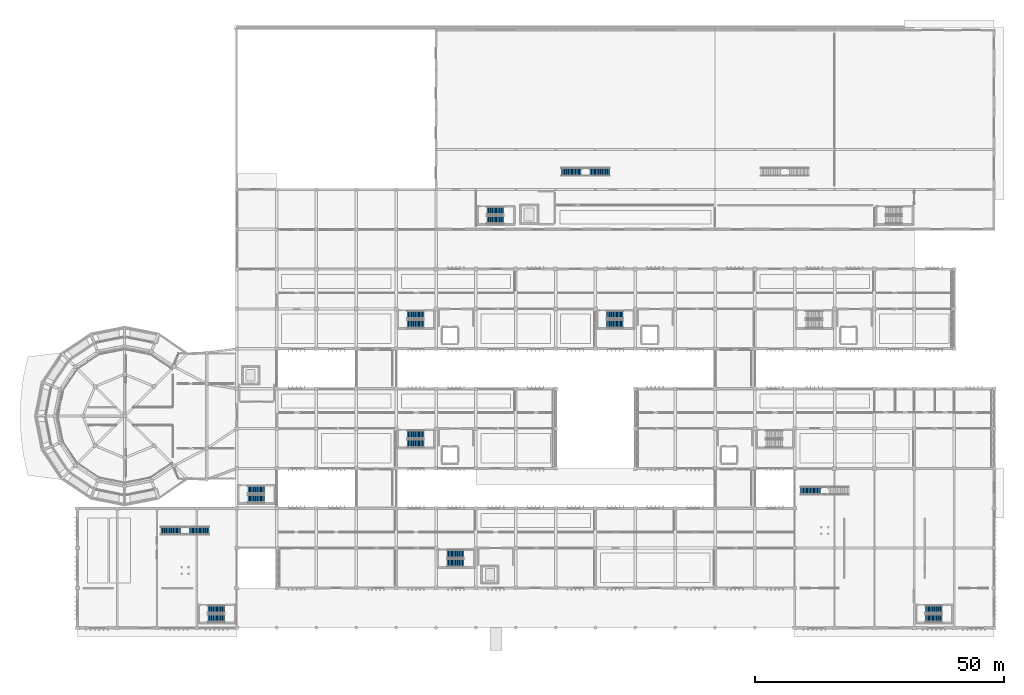
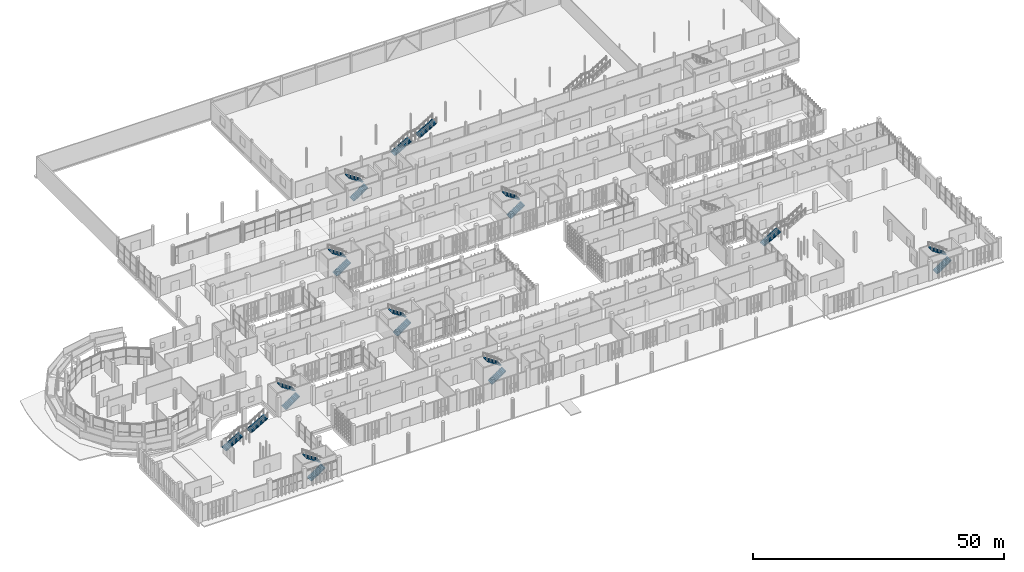
# One storey, part 99 of 117: 21 stair flights, 11 elements without a shape of their own.
"""IFC4 building model written with IfcOpenShell, lengths in metres."""

from ifc_helpers import new_model, si_unit, direction, frame, origin, place, context, subcontext, project, spatial, polyline, outline, extrude, material, type_object, element, aggregate, save


model = new_model("IFC4")

# Units and contexts
model_context = context("Model", 3, precision=1e-05, world=origin(), true_north=direction((0.0, 1.0)))
body_context = subcontext(model_context, "Body", "Model", "MODEL_VIEW")
ifc_project = project(units=[si_unit("LENGTHUNIT", "METRE"), si_unit("AREAUNIT", "SQUARE_METRE"), si_unit("VOLUMEUNIT", "CUBIC_METRE"), si_unit("PLANEANGLEUNIT", "RADIAN"), si_unit("MASSUNIT", "GRAM", prefix="KILO")], contexts=[model_context])

# Site, building, storey
site_placement = place(None, origin())
site = spatial("IfcSite", under=ifc_project, at=site_placement, CompositionType="ELEMENT")
building_placement = place(site_placement, origin())
building = spatial("IfcBuilding", under=site, at=building_placement, Name="Jelvoka-Kovrelna Polytechnic", CompositionType="ELEMENT")
storey_placement = place(building_placement, origin())
storey = spatial("IfcBuildingStorey", under=building, at=storey_placement, Name="L01", CompositionType="ELEMENT", Elevation=0.0)

# Stair, stair flights
ifc_material_1 = material(Name="Concrete C35/45", Category="concrete")
stair_type_1 = type_object("IfcStairType", Name="Stair_Straight_1650", PredefinedType="STRAIGHT_RUN_STAIR", material=ifc_material_1)
stair_1_placement = place(storey_placement, origin())
stair_1 = element("IfcStair", 1, at=stair_1_placement, inside=storey, type_object=stair_type_1, Name="L01 straight feature stair ST12", PredefinedType="STRAIGHT_RUN_STAIR")
ifc_material_2 = material(Name="Concrete C35/45", Category="concrete")
stair_flight_type_1 = type_object("IfcStairFlightType", Name="Flight_RC_160", PredefinedType="STRAIGHT", material=ifc_material_2)
stair_flight_1_placement = place(storey_placement, frame((113.199951171875, 91.5, 0.0), z_axis=(0.0, 0.0, 1.0), x_axis=(1.0, 0.0, 0.0)))
stair_flight_1 = element("IfcStairFlight", 2, at=stair_flight_1_placement, type_object=stair_flight_type_1, Name="ST12 flight 1", NumberOfRisers=15, NumberOfTreads=14, PredefinedType="STRAIGHT", RiserHeight=0.16, TreadLength=0.28, context=body_context, shape_type="SweptSolid", body=[
    extrude(outline(polyline([(0.0, 0.0), (0.0, 0.159912109375), (0.280029296875, 0.159912109375), (0.280029296875, 0.320068359375), (0.56005859375, 0.320068359375), (0.56005859375, 0.47998046875), (0.840087890625, 0.47998046875), (0.840087890625, 0.639892578125), (1.1201171875, 0.639892578125), (1.1201171875, 0.800048828125), (1.39990234375, 0.800048828125), (1.39990234375, 0.9599609375), (1.679931640625, 0.9599609375), (1.679931640625, 1.1201171875), (1.9599609375, 1.1201171875), (1.9599609375, 1.280029296875), (2.239990234375, 1.280029296875), (2.239990234375, 1.43994140625), (2.52001953125, 1.43994140625), (2.52001953125, 1.60009765625), (2.800048828125, 1.60009765625), (2.800048828125, 1.760009765625), (3.080078125, 1.760009765625), (3.080078125, 1.919921875), (3.360107421875, 1.919921875), (3.360107421875, 2.080078125), (3.639892578125, 2.080078125), (3.639892578125, 2.239990234375), (3.919921875, 2.239990234375), (3.919921875, 2.39990234375), (3.919921875, 2.03271484375), (0.362548828125, 0.0), (0.0, 0.0)])), frame((0.0, 0.824951171875, 0.0), z_axis=(0.0, -1.0, 0.0), x_axis=(1.0, 0.0, 0.0)), (0.0, 0.0, 1.0), 1.64990234375),
])
stair_flight_2_placement = place(storey_placement, frame((118.919921875, 91.5, 2.39990234375), z_axis=(0.0, 0.0, 1.0), x_axis=(1.0, 0.0, 0.0)))
stair_flight_2 = element("IfcStairFlight", 3, at=stair_flight_2_placement, type_object=stair_flight_type_1, Name="ST12 flight 2", NumberOfRisers=15, NumberOfTreads=14, PredefinedType="STRAIGHT", RiserHeight=0.16, TreadLength=0.28, context=body_context, shape_type="SweptSolid", body=[
    extrude(outline(polyline([(0.0, 0.0), (0.0, 0.159912109375), (0.280029296875, 0.159912109375), (0.280029296875, 0.320068359375), (0.56005859375, 0.320068359375), (0.56005859375, 0.47998046875), (0.840087890625, 0.47998046875), (0.840087890625, 0.639892578125), (1.1201171875, 0.639892578125), (1.1201171875, 0.800048828125), (1.39990234375, 0.800048828125), (1.39990234375, 0.9599609375), (1.679931640625, 0.9599609375), (1.679931640625, 1.1201171875), (1.9599609375, 1.1201171875), (1.9599609375, 1.280029296875), (2.239990234375, 1.280029296875), (2.239990234375, 1.43994140625), (2.52001953125, 1.43994140625), (2.52001953125, 1.60009765625), (2.800048828125, 1.60009765625), (2.800048828125, 1.760009765625), (3.080078125, 1.760009765625), (3.080078125, 1.919921875), (3.360107421875, 1.919921875), (3.360107421875, 2.080078125), (3.639892578125, 2.080078125), (3.639892578125, 2.239990234375), (3.919921875, 2.239990234375), (3.919921875, 2.39990234375), (3.919921875, 2.03271484375), (0.362548828125, 0.0), (0.0, 0.0)])), frame((0.0, 0.824951171875, 0.0), z_axis=(0.0, -1.0, 0.0), x_axis=(1.0, 0.0, 0.0)), (0.0, 0.0, 1.0), 1.64990234375),
])
aggregate(stair_1, [stair_flight_1, stair_flight_2])

stair_2_placement = place(storey_placement, origin())
stair_2 = element("IfcStair", 4, at=stair_2_placement, inside=storey, type_object=stair_type_1, Name="L01 straight feature stair ST14", PredefinedType="STRAIGHT_RUN_STAIR")
stair_flight_3_placement = place(storey_placement, frame((32.800048828125, 19.5, 0.0), z_axis=(0.0, 0.0, 1.0), x_axis=(1.0, 0.0, 0.0)))
stair_flight_3 = element("IfcStairFlight", 5, at=stair_flight_3_placement, type_object=stair_flight_type_1, Name="ST14 flight 1", NumberOfRisers=15, NumberOfTreads=14, PredefinedType="STRAIGHT", RiserHeight=0.16, TreadLength=0.28, context=body_context, shape_type="SweptSolid", body=[
    extrude(outline(polyline([(0.0, 0.0), (0.0, 0.159912109375), (0.280029296875, 0.159912109375), (0.280029296875, 0.320068359375), (0.56005859375, 0.320068359375), (0.56005859375, 0.47998046875), (0.840087890625, 0.47998046875), (0.840087890625, 0.639892578125), (1.1201171875, 0.639892578125), (1.1201171875, 0.800048828125), (1.39990234375, 0.800048828125), (1.39990234375, 0.9599609375), (1.679931640625, 0.9599609375), (1.679931640625, 1.1201171875), (1.9599609375, 1.1201171875), (1.9599609375, 1.280029296875), (2.239990234375, 1.280029296875), (2.239990234375, 1.43994140625), (2.52001953125, 1.43994140625), (2.52001953125, 1.60009765625), (2.800048828125, 1.60009765625), (2.800048828125, 1.760009765625), (3.080078125, 1.760009765625), (3.080078125, 1.919921875), (3.360107421875, 1.919921875), (3.360107421875, 2.080078125), (3.639892578125, 2.080078125), (3.639892578125, 2.239990234375), (3.919921875, 2.239990234375), (3.919921875, 2.39990234375), (3.919921875, 2.03271484375), (0.362548828125, 0.0), (0.0, 0.0)])), frame((0.0, 0.824951171875, 0.0), z_axis=(0.0, -1.0, 0.0), x_axis=(1.0, 0.0, 0.0)), (0.0, 0.0, 1.0), 1.64990234375),
])
stair_flight_4_placement = place(storey_placement, frame((38.52001953125, 19.5, 2.39990234375), z_axis=(0.0, 0.0, 1.0), x_axis=(1.0, 0.0, 0.0)))
stair_flight_4 = element("IfcStairFlight", 6, at=stair_flight_4_placement, type_object=stair_flight_type_1, Name="ST14 flight 2", NumberOfRisers=15, NumberOfTreads=14, PredefinedType="STRAIGHT", RiserHeight=0.16, TreadLength=0.28, context=body_context, shape_type="SweptSolid", body=[
    extrude(outline(polyline([(0.0, 0.0), (0.0, 0.159912109375), (0.280029296875, 0.159912109375), (0.280029296875, 0.320068359375), (0.56005859375, 0.320068359375), (0.56005859375, 0.47998046875), (0.840087890625, 0.47998046875), (0.840087890625, 0.639892578125), (1.1201171875, 0.639892578125), (1.1201171875, 0.800048828125), (1.39990234375, 0.800048828125), (1.39990234375, 0.9599609375), (1.679931640625, 0.9599609375), (1.679931640625, 1.1201171875), (1.9599609375, 1.1201171875), (1.9599609375, 1.280029296875), (2.239990234375, 1.280029296875), (2.239990234375, 1.43994140625), (2.52001953125, 1.43994140625), (2.52001953125, 1.60009765625), (2.800048828125, 1.60009765625), (2.800048828125, 1.760009765625), (3.080078125, 1.760009765625), (3.080078125, 1.919921875), (3.360107421875, 1.919921875), (3.360107421875, 2.080078125), (3.639892578125, 2.080078125), (3.639892578125, 2.239990234375), (3.919921875, 2.239990234375), (3.919921875, 2.39990234375), (3.919921875, 2.03271484375), (0.362548828125, 0.0), (0.0, 0.0)])), frame((0.0, 0.824951171875, 0.0), z_axis=(0.0, -1.0, 0.0), x_axis=(1.0, 0.0, 0.0)), (0.0, 0.0, 1.0), 1.64990234375),
])
aggregate(stair_2, [stair_flight_3, stair_flight_4])

# Stair, stair flight
stair_3_placement = place(storey_placement, origin())
stair_3 = element("IfcStair", 7, at=stair_3_placement, inside=storey, type_object=stair_type_1, Name="L01 straight feature stair ST16", PredefinedType="STRAIGHT_RUN_STAIR")
stair_flight_5_placement = place(storey_placement, frame((161.199951171875, 27.5, 0.0), z_axis=(0.0, 0.0, 1.0), x_axis=(1.0, 0.0, 0.0)))
stair_flight_5 = element("IfcStairFlight", 8, at=stair_flight_5_placement, type_object=stair_flight_type_1, Name="ST16 flight 1", NumberOfRisers=15, NumberOfTreads=14, PredefinedType="STRAIGHT", RiserHeight=0.16, TreadLength=0.28, context=body_context, shape_type="SweptSolid", body=[
    extrude(outline(polyline([(0.0, 0.0), (0.0, 0.159912109375), (0.280029296875, 0.159912109375), (0.280029296875, 0.320068359375), (0.56005859375, 0.320068359375), (0.56005859375, 0.47998046875), (0.840087890625, 0.47998046875), (0.840087890625, 0.639892578125), (1.1201171875, 0.639892578125), (1.1201171875, 0.800048828125), (1.39990234375, 0.800048828125), (1.39990234375, 0.9599609375), (1.679931640625, 0.9599609375), (1.679931640625, 1.1201171875), (1.9599609375, 1.1201171875), (1.9599609375, 1.280029296875), (2.239990234375, 1.280029296875), (2.239990234375, 1.43994140625), (2.52001953125, 1.43994140625), (2.52001953125, 1.60009765625), (2.800048828125, 1.60009765625), (2.800048828125, 1.760009765625), (3.080078125, 1.760009765625), (3.080078125, 1.919921875), (3.360107421875, 1.919921875), (3.360107421875, 2.080078125), (3.639892578125, 2.080078125), (3.639892578125, 2.239990234375), (3.919921875, 2.239990234375), (3.919921875, 2.39990234375), (3.919921875, 2.03271484375), (0.362548828125, 0.0), (0.0, 0.0)])), frame((0.0, 0.824951171875, 0.0), z_axis=(0.0, -1.0, 0.0), x_axis=(1.0, 0.0, 0.0)), (0.0, 0.0, 1.0), 1.64990234375),
])
aggregate(stair_3, [stair_flight_5])

# Stair, stair flights
ifc_material_3 = material(Name="Concrete C35/45", Category="concrete")
stair_type_2 = type_object("IfcStairType", Name="Stair_Dogleg_1620", PredefinedType="TWO_STRAIGHT_RUN_STAIR", material=ifc_material_3)
stair_4_placement = place(storey_placement, origin())
stair_4 = element("IfcStair", 9, at=stair_4_placement, inside=storey, type_object=stair_type_2, Name="L01 ST01", PredefinedType="TWO_STRAIGHT_RUN_STAIR")
ifc_material_4 = material(Name="Concrete C35/45", Category="concrete")
stair_flight_type_2 = type_object("IfcStairFlightType", Name="Flight_RC_185", PredefinedType="STRAIGHT", material=ifc_material_4)
stair_flight_6_placement = place(storey_placement, frame((98.25, 81.909912109375, 0.0), z_axis=(0.0, 0.0, 1.0), x_axis=(1.0, 0.0, 0.0)))
stair_flight_6 = element("IfcStairFlight", 10, at=stair_flight_6_placement, type_object=stair_flight_type_2, Name="ST01 flight 1", NumberOfRisers=13, NumberOfTreads=12, PredefinedType="STRAIGHT", RiserHeight=0.184615385, TreadLength=0.275, context=body_context, shape_type="SweptSolid", body=[
    extrude(outline(polyline([(0.0, 0.0), (0.0, 0.1845703125), (0.27490234375, 0.1845703125), (0.27490234375, 0.369140625), (0.550048828125, 0.369140625), (0.550048828125, 0.553955078125), (0.824951171875, 0.553955078125), (0.824951171875, 0.738525390625), (1.10009765625, 0.738525390625), (1.10009765625, 0.923095703125), (1.375, 0.923095703125), (1.375, 1.107666015625), (1.64990234375, 1.107666015625), (1.64990234375, 1.292236328125), (1.925048828125, 1.292236328125), (1.925048828125, 1.476806640625), (2.199951171875, 1.476806640625), (2.199951171875, 1.66162109375), (2.47509765625, 1.66162109375), (2.47509765625, 1.84619140625), (2.75, 1.84619140625), (2.75, 2.03076171875), (3.02490234375, 2.03076171875), (3.02490234375, 2.21533203125), (3.300048828125, 2.21533203125), (3.300048828125, 2.39990234375), (3.300048828125, 1.998779296875), (0.32275390625, 0.0), (0.0, 0.0)])), frame((0.0, 0.81005859375, 0.0), z_axis=(0.0, -1.0, 0.0), x_axis=(1.0, 0.0, 0.0)), (0.0, 0.0, 1.0), 1.6201171875),
])
stair_flight_7_placement = place(storey_placement, frame((101.550048828125, 83.72998046875, 2.39990234375), z_axis=(0.0, 0.0, 1.0), x_axis=(-1.0, 0.0, 0.0)))
stair_flight_7 = element("IfcStairFlight", 11, at=stair_flight_7_placement, type_object=stair_flight_type_2, Name="ST01 flight 2", NumberOfRisers=13, NumberOfTreads=12, PredefinedType="STRAIGHT", RiserHeight=0.184615385, TreadLength=0.275, context=body_context, shape_type="SweptSolid", body=[
    extrude(outline(polyline([(0.0, 0.0), (0.0, 0.1845703125), (0.27490234375, 0.1845703125), (0.27490234375, 0.369140625), (0.550048828125, 0.369140625), (0.550048828125, 0.553955078125), (0.824951171875, 0.553955078125), (0.824951171875, 0.738525390625), (1.10009765625, 0.738525390625), (1.10009765625, 0.923095703125), (1.375, 0.923095703125), (1.375, 1.107666015625), (1.64990234375, 1.107666015625), (1.64990234375, 1.292236328125), (1.925048828125, 1.292236328125), (1.925048828125, 1.476806640625), (2.199951171875, 1.476806640625), (2.199951171875, 1.66162109375), (2.47509765625, 1.66162109375), (2.47509765625, 1.84619140625), (2.75, 1.84619140625), (2.75, 2.03076171875), (3.02490234375, 2.03076171875), (3.02490234375, 2.21533203125), (3.300048828125, 2.21533203125), (3.300048828125, 2.39990234375), (3.300048828125, 1.998779296875), (0.32275390625, 0.0), (0.0, 0.0)])), frame((0.0, 0.81005859375, 0.0), z_axis=(0.0, -1.0, 0.0), x_axis=(1.0, 0.0, 0.0)), (0.0, 0.0, 1.0), 1.6201171875),
])
aggregate(stair_4, [stair_flight_6, stair_flight_7])

stair_5_placement = place(storey_placement, origin())
stair_5 = element("IfcStair", 12, at=stair_5_placement, inside=storey, type_object=stair_type_2, Name="L01 ST03", PredefinedType="TWO_STRAIGHT_RUN_STAIR")
stair_flight_8_placement = place(storey_placement, frame((50.25, 25.909912109375, 0.0), z_axis=(0.0, 0.0, 1.0), x_axis=(1.0, 0.0, 0.0)))
stair_flight_8 = element("IfcStairFlight", 13, at=stair_flight_8_placement, type_object=stair_flight_type_2, Name="ST03 flight 1", NumberOfRisers=13, NumberOfTreads=12, PredefinedType="STRAIGHT", RiserHeight=0.184615385, TreadLength=0.275, context=body_context, shape_type="SweptSolid", body=[
    extrude(outline(polyline([(0.0, 0.0), (0.0, 0.1845703125), (0.27490234375, 0.1845703125), (0.27490234375, 0.369140625), (0.550048828125, 0.369140625), (0.550048828125, 0.553955078125), (0.824951171875, 0.553955078125), (0.824951171875, 0.738525390625), (1.10009765625, 0.738525390625), (1.10009765625, 0.923095703125), (1.375, 0.923095703125), (1.375, 1.107666015625), (1.64990234375, 1.107666015625), (1.64990234375, 1.292236328125), (1.925048828125, 1.292236328125), (1.925048828125, 1.476806640625), (2.199951171875, 1.476806640625), (2.199951171875, 1.66162109375), (2.47509765625, 1.66162109375), (2.47509765625, 1.84619140625), (2.75, 1.84619140625), (2.75, 2.03076171875), (3.02490234375, 2.03076171875), (3.02490234375, 2.21533203125), (3.300048828125, 2.21533203125), (3.300048828125, 2.39990234375), (3.300048828125, 1.998779296875), (0.32275390625, 0.0), (0.0, 0.0)])), frame((0.0, 0.81005859375, 0.0), z_axis=(0.0, -1.0, 0.0), x_axis=(1.0, 0.0, 0.0)), (0.0, 0.0, 1.0), 1.6201171875),
])
stair_flight_9_placement = place(storey_placement, frame((53.550048828125, 27.72998046875, 2.39990234375), z_axis=(0.0, 0.0, 1.0), x_axis=(-1.0, 0.0, 0.0)))
stair_flight_9 = element("IfcStairFlight", 14, at=stair_flight_9_placement, type_object=stair_flight_type_2, Name="ST03 flight 2", NumberOfRisers=13, NumberOfTreads=12, PredefinedType="STRAIGHT", RiserHeight=0.184615385, TreadLength=0.275, context=body_context, shape_type="SweptSolid", body=[
    extrude(outline(polyline([(0.0, 0.0), (0.0, 0.1845703125), (0.27490234375, 0.1845703125), (0.27490234375, 0.369140625), (0.550048828125, 0.369140625), (0.550048828125, 0.553955078125), (0.824951171875, 0.553955078125), (0.824951171875, 0.738525390625), (1.10009765625, 0.738525390625), (1.10009765625, 0.923095703125), (1.375, 0.923095703125), (1.375, 1.107666015625), (1.64990234375, 1.107666015625), (1.64990234375, 1.292236328125), (1.925048828125, 1.292236328125), (1.925048828125, 1.476806640625), (2.199951171875, 1.476806640625), (2.199951171875, 1.66162109375), (2.47509765625, 1.66162109375), (2.47509765625, 1.84619140625), (2.75, 1.84619140625), (2.75, 2.03076171875), (3.02490234375, 2.03076171875), (3.02490234375, 2.21533203125), (3.300048828125, 2.21533203125), (3.300048828125, 2.39990234375), (3.300048828125, 1.998779296875), (0.32275390625, 0.0), (0.0, 0.0)])), frame((0.0, 0.81005859375, 0.0), z_axis=(0.0, -1.0, 0.0), x_axis=(1.0, 0.0, 0.0)), (0.0, 0.0, 1.0), 1.6201171875),
])
aggregate(stair_5, [stair_flight_8, stair_flight_9])

stair_6_placement = place(storey_placement, origin())
stair_6 = element("IfcStair", 15, at=stair_6_placement, inside=storey, type_object=stair_type_2, Name="L01 ST04", PredefinedType="TWO_STRAIGHT_RUN_STAIR")
stair_flight_10_placement = place(storey_placement, frame((42.25, 1.909912109375, 0.0), z_axis=(0.0, 0.0, 1.0), x_axis=(1.0, 0.0, 0.0)))
stair_flight_10 = element("IfcStairFlight", 16, at=stair_flight_10_placement, type_object=stair_flight_type_2, Name="ST04 flight 1", NumberOfRisers=13, NumberOfTreads=12, PredefinedType="STRAIGHT", RiserHeight=0.184615385, TreadLength=0.275, context=body_context, shape_type="SweptSolid", body=[
    extrude(outline(polyline([(0.0, 0.0), (0.0, 0.1845703125), (0.27490234375, 0.1845703125), (0.27490234375, 0.369140625), (0.550048828125, 0.369140625), (0.550048828125, 0.553955078125), (0.824951171875, 0.553955078125), (0.824951171875, 0.738525390625), (1.10009765625, 0.738525390625), (1.10009765625, 0.923095703125), (1.375, 0.923095703125), (1.375, 1.107666015625), (1.64990234375, 1.107666015625), (1.64990234375, 1.292236328125), (1.925048828125, 1.292236328125), (1.925048828125, 1.476806640625), (2.199951171875, 1.476806640625), (2.199951171875, 1.66162109375), (2.47509765625, 1.66162109375), (2.47509765625, 1.84619140625), (2.75, 1.84619140625), (2.75, 2.03076171875), (3.02490234375, 2.03076171875), (3.02490234375, 2.21533203125), (3.300048828125, 2.21533203125), (3.300048828125, 2.39990234375), (3.300048828125, 1.998779296875), (0.32275390625, 0.0), (0.0, 0.0)])), frame((0.0, 0.81005859375, 0.0), z_axis=(0.0, -1.0, 0.0), x_axis=(1.0, 0.0, 0.0)), (0.0, 0.0, 1.0), 1.6201171875),
])
stair_flight_11_placement = place(storey_placement, frame((45.550048828125, 3.72998046875, 2.39990234375), z_axis=(0.0, 0.0, 1.0), x_axis=(-1.0, 0.0, 0.0)))
stair_flight_11 = element("IfcStairFlight", 17, at=stair_flight_11_placement, type_object=stair_flight_type_2, Name="ST04 flight 2", NumberOfRisers=13, NumberOfTreads=12, PredefinedType="STRAIGHT", RiserHeight=0.184615385, TreadLength=0.275, context=body_context, shape_type="SweptSolid", body=[
    extrude(outline(polyline([(0.0, 0.0), (0.0, 0.1845703125), (0.27490234375, 0.1845703125), (0.27490234375, 0.369140625), (0.550048828125, 0.369140625), (0.550048828125, 0.553955078125), (0.824951171875, 0.553955078125), (0.824951171875, 0.738525390625), (1.10009765625, 0.738525390625), (1.10009765625, 0.923095703125), (1.375, 0.923095703125), (1.375, 1.107666015625), (1.64990234375, 1.107666015625), (1.64990234375, 1.292236328125), (1.925048828125, 1.292236328125), (1.925048828125, 1.476806640625), (2.199951171875, 1.476806640625), (2.199951171875, 1.66162109375), (2.47509765625, 1.66162109375), (2.47509765625, 1.84619140625), (2.75, 1.84619140625), (2.75, 2.03076171875), (3.02490234375, 2.03076171875), (3.02490234375, 2.21533203125), (3.300048828125, 2.21533203125), (3.300048828125, 2.39990234375), (3.300048828125, 1.998779296875), (0.32275390625, 0.0), (0.0, 0.0)])), frame((0.0, 0.81005859375, 0.0), z_axis=(0.0, -1.0, 0.0), x_axis=(1.0, 0.0, 0.0)), (0.0, 0.0, 1.0), 1.6201171875),
])
aggregate(stair_6, [stair_flight_10, stair_flight_11])

stair_7_placement = place(storey_placement, origin())
stair_7 = element("IfcStair", 18, at=stair_7_placement, inside=storey, type_object=stair_type_2, Name="L01 ST05", PredefinedType="TWO_STRAIGHT_RUN_STAIR")
stair_flight_12_placement = place(storey_placement, frame((186.25, 1.909912109375, 0.0), z_axis=(0.0, 0.0, 1.0), x_axis=(1.0, 0.0, 0.0)))
stair_flight_12 = element("IfcStairFlight", 19, at=stair_flight_12_placement, type_object=stair_flight_type_2, Name="ST05 flight 1", NumberOfRisers=13, NumberOfTreads=12, PredefinedType="STRAIGHT", RiserHeight=0.184615385, TreadLength=0.275, context=body_context, shape_type="SweptSolid", body=[
    extrude(outline(polyline([(0.0, 0.0), (0.0, 0.1845703125), (0.27490234375, 0.1845703125), (0.27490234375, 0.369140625), (0.550048828125, 0.369140625), (0.550048828125, 0.553955078125), (0.824951171875, 0.553955078125), (0.824951171875, 0.738525390625), (1.10009765625, 0.738525390625), (1.10009765625, 0.923095703125), (1.375, 0.923095703125), (1.375, 1.107666015625), (1.64990234375, 1.107666015625), (1.64990234375, 1.292236328125), (1.925048828125, 1.292236328125), (1.925048828125, 1.476806640625), (2.199951171875, 1.476806640625), (2.199951171875, 1.66162109375), (2.47509765625, 1.66162109375), (2.47509765625, 1.84619140625), (2.75, 1.84619140625), (2.75, 2.03076171875), (3.02490234375, 2.03076171875), (3.02490234375, 2.21533203125), (3.300048828125, 2.21533203125), (3.300048828125, 2.39990234375), (3.300048828125, 1.998779296875), (0.32275390625, 0.0), (0.0, 0.0)])), frame((0.0, 0.81005859375, 0.0), z_axis=(0.0, -1.0, 0.0), x_axis=(1.0, 0.0, 0.0)), (0.0, 0.0, 1.0), 1.6201171875),
])
stair_flight_13_placement = place(storey_placement, frame((189.550048828125, 3.72998046875, 2.39990234375), z_axis=(0.0, 0.0, 1.0), x_axis=(-1.0, 0.0, 0.0)))
stair_flight_13 = element("IfcStairFlight", 20, at=stair_flight_13_placement, type_object=stair_flight_type_2, Name="ST05 flight 2", NumberOfRisers=13, NumberOfTreads=12, PredefinedType="STRAIGHT", RiserHeight=0.184615385, TreadLength=0.275, context=body_context, shape_type="SweptSolid", body=[
    extrude(outline(polyline([(0.0, 0.0), (0.0, 0.1845703125), (0.27490234375, 0.1845703125), (0.27490234375, 0.369140625), (0.550048828125, 0.369140625), (0.550048828125, 0.553955078125), (0.824951171875, 0.553955078125), (0.824951171875, 0.738525390625), (1.10009765625, 0.738525390625), (1.10009765625, 0.923095703125), (1.375, 0.923095703125), (1.375, 1.107666015625), (1.64990234375, 1.107666015625), (1.64990234375, 1.292236328125), (1.925048828125, 1.292236328125), (1.925048828125, 1.476806640625), (2.199951171875, 1.476806640625), (2.199951171875, 1.66162109375), (2.47509765625, 1.66162109375), (2.47509765625, 1.84619140625), (2.75, 1.84619140625), (2.75, 2.03076171875), (3.02490234375, 2.03076171875), (3.02490234375, 2.21533203125), (3.300048828125, 2.21533203125), (3.300048828125, 2.39990234375), (3.300048828125, 1.998779296875), (0.32275390625, 0.0), (0.0, 0.0)])), frame((0.0, 0.81005859375, 0.0), z_axis=(0.0, -1.0, 0.0), x_axis=(1.0, 0.0, 0.0)), (0.0, 0.0, 1.0), 1.6201171875),
])
aggregate(stair_7, [stair_flight_12, stair_flight_13])

stair_8_placement = place(storey_placement, origin())
stair_8 = element("IfcStair", 21, at=stair_8_placement, inside=storey, type_object=stair_type_2, Name="L01 ST06", PredefinedType="TWO_STRAIGHT_RUN_STAIR")
stair_flight_14_placement = place(storey_placement, frame((90.25, 13.010009765625, 0.0), z_axis=(0.0, 0.0, 1.0), x_axis=(1.0, 0.0, 0.0)))
stair_flight_14 = element("IfcStairFlight", 22, at=stair_flight_14_placement, type_object=stair_flight_type_2, Name="ST06 flight 1", NumberOfRisers=13, NumberOfTreads=12, PredefinedType="STRAIGHT", RiserHeight=0.184615385, TreadLength=0.275, context=body_context, shape_type="SweptSolid", body=[
    extrude(outline(polyline([(0.0, 0.0), (0.0, 0.1845703125), (0.27490234375, 0.1845703125), (0.27490234375, 0.369140625), (0.550048828125, 0.369140625), (0.550048828125, 0.553955078125), (0.824951171875, 0.553955078125), (0.824951171875, 0.738525390625), (1.10009765625, 0.738525390625), (1.10009765625, 0.923095703125), (1.375, 0.923095703125), (1.375, 1.107666015625), (1.64990234375, 1.107666015625), (1.64990234375, 1.292236328125), (1.925048828125, 1.292236328125), (1.925048828125, 1.476806640625), (2.199951171875, 1.476806640625), (2.199951171875, 1.66162109375), (2.47509765625, 1.66162109375), (2.47509765625, 1.84619140625), (2.75, 1.84619140625), (2.75, 2.03076171875), (3.02490234375, 2.03076171875), (3.02490234375, 2.21533203125), (3.300048828125, 2.21533203125), (3.300048828125, 2.39990234375), (3.300048828125, 1.998779296875), (0.32275390625, 0.0), (0.0, 0.0)])), frame((0.0, 0.81005859375, 0.0), z_axis=(0.0, -1.0, 0.0), x_axis=(1.0, 0.0, 0.0)), (0.0, 0.0, 1.0), 1.6201171875),
])
stair_flight_15_placement = place(storey_placement, frame((93.550048828125, 14.830078125, 2.39990234375), z_axis=(0.0, 0.0, 1.0), x_axis=(-1.0, 0.0, 0.0)))
stair_flight_15 = element("IfcStairFlight", 23, at=stair_flight_15_placement, type_object=stair_flight_type_2, Name="ST06 flight 2", NumberOfRisers=13, NumberOfTreads=12, PredefinedType="STRAIGHT", RiserHeight=0.184615385, TreadLength=0.275, context=body_context, shape_type="SweptSolid", body=[
    extrude(outline(polyline([(0.0, 0.0), (0.0, 0.1845703125), (0.27490234375, 0.1845703125), (0.27490234375, 0.369140625), (0.550048828125, 0.369140625), (0.550048828125, 0.553955078125), (0.824951171875, 0.553955078125), (0.824951171875, 0.738525390625), (1.10009765625, 0.738525390625), (1.10009765625, 0.923095703125), (1.375, 0.923095703125), (1.375, 1.107666015625), (1.64990234375, 1.107666015625), (1.64990234375, 1.292236328125), (1.925048828125, 1.292236328125), (1.925048828125, 1.476806640625), (2.199951171875, 1.476806640625), (2.199951171875, 1.66162109375), (2.47509765625, 1.66162109375), (2.47509765625, 1.84619140625), (2.75, 1.84619140625), (2.75, 2.03076171875), (3.02490234375, 2.03076171875), (3.02490234375, 2.21533203125), (3.300048828125, 2.21533203125), (3.300048828125, 2.39990234375), (3.300048828125, 1.998779296875), (0.32275390625, 0.0), (0.0, 0.0)])), frame((0.0, 0.81005859375, 0.0), z_axis=(0.0, -1.0, 0.0), x_axis=(1.0, 0.0, 0.0)), (0.0, 0.0, 1.0), 1.6201171875),
])
aggregate(stair_8, [stair_flight_14, stair_flight_15])

stair_9_placement = place(storey_placement, origin())
stair_9 = element("IfcStair", 24, at=stair_9_placement, inside=storey, type_object=stair_type_2, Name="L01 ST07", PredefinedType="TWO_STRAIGHT_RUN_STAIR")
stair_flight_16_placement = place(storey_placement, frame((82.25, 37.010009765625, 0.0), z_axis=(0.0, 0.0, 1.0), x_axis=(1.0, 0.0, 0.0)))
stair_flight_16 = element("IfcStairFlight", 25, at=stair_flight_16_placement, type_object=stair_flight_type_2, Name="ST07 flight 1", NumberOfRisers=13, NumberOfTreads=12, PredefinedType="STRAIGHT", RiserHeight=0.184615385, TreadLength=0.275, context=body_context, shape_type="SweptSolid", body=[
    extrude(outline(polyline([(0.0, 0.0), (0.0, 0.1845703125), (0.27490234375, 0.1845703125), (0.27490234375, 0.369140625), (0.550048828125, 0.369140625), (0.550048828125, 0.553955078125), (0.824951171875, 0.553955078125), (0.824951171875, 0.738525390625), (1.10009765625, 0.738525390625), (1.10009765625, 0.923095703125), (1.375, 0.923095703125), (1.375, 1.107666015625), (1.64990234375, 1.107666015625), (1.64990234375, 1.292236328125), (1.925048828125, 1.292236328125), (1.925048828125, 1.476806640625), (2.199951171875, 1.476806640625), (2.199951171875, 1.66162109375), (2.47509765625, 1.66162109375), (2.47509765625, 1.84619140625), (2.75, 1.84619140625), (2.75, 2.03076171875), (3.02490234375, 2.03076171875), (3.02490234375, 2.21533203125), (3.300048828125, 2.21533203125), (3.300048828125, 2.39990234375), (3.300048828125, 1.998779296875), (0.32275390625, 0.0), (0.0, 0.0)])), frame((0.0, 0.81005859375, 0.0), z_axis=(0.0, -1.0, 0.0), x_axis=(1.0, 0.0, 0.0)), (0.0, 0.0, 1.0), 1.6201171875),
])
stair_flight_17_placement = place(storey_placement, frame((85.550048828125, 38.830078125, 2.39990234375), z_axis=(0.0, 0.0, 1.0), x_axis=(-1.0, 0.0, 0.0)))
stair_flight_17 = element("IfcStairFlight", 26, at=stair_flight_17_placement, type_object=stair_flight_type_2, Name="ST07 flight 2", NumberOfRisers=13, NumberOfTreads=12, PredefinedType="STRAIGHT", RiserHeight=0.184615385, TreadLength=0.275, context=body_context, shape_type="SweptSolid", body=[
    extrude(outline(polyline([(0.0, 0.0), (0.0, 0.1845703125), (0.27490234375, 0.1845703125), (0.27490234375, 0.369140625), (0.550048828125, 0.369140625), (0.550048828125, 0.553955078125), (0.824951171875, 0.553955078125), (0.824951171875, 0.738525390625), (1.10009765625, 0.738525390625), (1.10009765625, 0.923095703125), (1.375, 0.923095703125), (1.375, 1.107666015625), (1.64990234375, 1.107666015625), (1.64990234375, 1.292236328125), (1.925048828125, 1.292236328125), (1.925048828125, 1.476806640625), (2.199951171875, 1.476806640625), (2.199951171875, 1.66162109375), (2.47509765625, 1.66162109375), (2.47509765625, 1.84619140625), (2.75, 1.84619140625), (2.75, 2.03076171875), (3.02490234375, 2.03076171875), (3.02490234375, 2.21533203125), (3.300048828125, 2.21533203125), (3.300048828125, 2.39990234375), (3.300048828125, 1.998779296875), (0.32275390625, 0.0), (0.0, 0.0)])), frame((0.0, 0.81005859375, 0.0), z_axis=(0.0, -1.0, 0.0), x_axis=(1.0, 0.0, 0.0)), (0.0, 0.0, 1.0), 1.6201171875),
])
aggregate(stair_9, [stair_flight_16, stair_flight_17])

stair_10_placement = place(storey_placement, origin())
stair_10 = element("IfcStair", 27, at=stair_10_placement, inside=storey, type_object=stair_type_2, Name="L01 ST09", PredefinedType="TWO_STRAIGHT_RUN_STAIR")
stair_flight_18_placement = place(storey_placement, frame((82.25, 61.010009765625, 0.0), z_axis=(0.0, 0.0, 1.0), x_axis=(1.0, 0.0, 0.0)))
stair_flight_18 = element("IfcStairFlight", 28, at=stair_flight_18_placement, type_object=stair_flight_type_2, Name="ST09 flight 1", NumberOfRisers=13, NumberOfTreads=12, PredefinedType="STRAIGHT", RiserHeight=0.184615385, TreadLength=0.275, context=body_context, shape_type="SweptSolid", body=[
    extrude(outline(polyline([(0.0, 0.0), (0.0, 0.1845703125), (0.27490234375, 0.1845703125), (0.27490234375, 0.369140625), (0.550048828125, 0.369140625), (0.550048828125, 0.553955078125), (0.824951171875, 0.553955078125), (0.824951171875, 0.738525390625), (1.10009765625, 0.738525390625), (1.10009765625, 0.923095703125), (1.375, 0.923095703125), (1.375, 1.107666015625), (1.64990234375, 1.107666015625), (1.64990234375, 1.292236328125), (1.925048828125, 1.292236328125), (1.925048828125, 1.476806640625), (2.199951171875, 1.476806640625), (2.199951171875, 1.66162109375), (2.47509765625, 1.66162109375), (2.47509765625, 1.84619140625), (2.75, 1.84619140625), (2.75, 2.03076171875), (3.02490234375, 2.03076171875), (3.02490234375, 2.21533203125), (3.300048828125, 2.21533203125), (3.300048828125, 2.39990234375), (3.300048828125, 1.998779296875), (0.32275390625, 0.0), (0.0, 0.0)])), frame((0.0, 0.81005859375, 0.0), z_axis=(0.0, -1.0, 0.0), x_axis=(1.0, 0.0, 0.0)), (0.0, 0.0, 1.0), 1.6201171875),
])
stair_flight_19_placement = place(storey_placement, frame((85.550048828125, 62.830078125, 2.39990234375), z_axis=(0.0, 0.0, 1.0), x_axis=(-1.0, 0.0, 0.0)))
stair_flight_19 = element("IfcStairFlight", 29, at=stair_flight_19_placement, type_object=stair_flight_type_2, Name="ST09 flight 2", NumberOfRisers=13, NumberOfTreads=12, PredefinedType="STRAIGHT", RiserHeight=0.184615385, TreadLength=0.275, context=body_context, shape_type="SweptSolid", body=[
    extrude(outline(polyline([(0.0, 0.0), (0.0, 0.1845703125), (0.27490234375, 0.1845703125), (0.27490234375, 0.369140625), (0.550048828125, 0.369140625), (0.550048828125, 0.553955078125), (0.824951171875, 0.553955078125), (0.824951171875, 0.738525390625), (1.10009765625, 0.738525390625), (1.10009765625, 0.923095703125), (1.375, 0.923095703125), (1.375, 1.107666015625), (1.64990234375, 1.107666015625), (1.64990234375, 1.292236328125), (1.925048828125, 1.292236328125), (1.925048828125, 1.476806640625), (2.199951171875, 1.476806640625), (2.199951171875, 1.66162109375), (2.47509765625, 1.66162109375), (2.47509765625, 1.84619140625), (2.75, 1.84619140625), (2.75, 2.03076171875), (3.02490234375, 2.03076171875), (3.02490234375, 2.21533203125), (3.300048828125, 2.21533203125), (3.300048828125, 2.39990234375), (3.300048828125, 1.998779296875), (0.32275390625, 0.0), (0.0, 0.0)])), frame((0.0, 0.81005859375, 0.0), z_axis=(0.0, -1.0, 0.0), x_axis=(1.0, 0.0, 0.0)), (0.0, 0.0, 1.0), 1.6201171875),
])
aggregate(stair_10, [stair_flight_18, stair_flight_19])

ifc_material_5 = material(Name="Concrete C35/45", Category="concrete")
stair_type_3 = type_object("IfcStairType", Name="Stair_Dogleg_1580", PredefinedType="TWO_STRAIGHT_RUN_STAIR", material=ifc_material_5)
stair_11_placement = place(storey_placement, origin())
stair_11 = element("IfcStair", 30, at=stair_11_placement, inside=storey, type_object=stair_type_3, Name="L01 ST11", PredefinedType="TWO_STRAIGHT_RUN_STAIR")
stair_flight_20_placement = place(storey_placement, frame((122.25, 60.989990234375, 0.0), z_axis=(0.0, 0.0, 1.0), x_axis=(1.0, 0.0, 0.0)))
stair_flight_20 = element("IfcStairFlight", 31, at=stair_flight_20_placement, type_object=stair_flight_type_2, Name="ST11 flight 1", NumberOfRisers=13, NumberOfTreads=12, PredefinedType="STRAIGHT", RiserHeight=0.184615385, TreadLength=0.275, context=body_context, shape_type="SweptSolid", body=[
    extrude(outline(polyline([(0.0, 0.0), (0.0, 0.1845703125), (0.27490234375, 0.1845703125), (0.27490234375, 0.369140625), (0.550048828125, 0.369140625), (0.550048828125, 0.553955078125), (0.824951171875, 0.553955078125), (0.824951171875, 0.738525390625), (1.10009765625, 0.738525390625), (1.10009765625, 0.923095703125), (1.375, 0.923095703125), (1.375, 1.107666015625), (1.64990234375, 1.107666015625), (1.64990234375, 1.292236328125), (1.925048828125, 1.292236328125), (1.925048828125, 1.476806640625), (2.199951171875, 1.476806640625), (2.199951171875, 1.66162109375), (2.47509765625, 1.66162109375), (2.47509765625, 1.84619140625), (2.75, 1.84619140625), (2.75, 2.03076171875), (3.02490234375, 2.03076171875), (3.02490234375, 2.21533203125), (3.300048828125, 2.21533203125), (3.300048828125, 2.39990234375), (3.300048828125, 1.998779296875), (0.32275390625, 0.0), (0.0, 0.0)])), frame((0.0, 0.7900390625, 0.0), z_axis=(0.0, -1.0, 0.0), x_axis=(1.0, 0.0, 0.0)), (0.0, 0.0, 1.0), 1.580078125),
])
stair_flight_21_placement = place(storey_placement, frame((125.550048828125, 62.85009765625, 2.39990234375), z_axis=(0.0, 0.0, 1.0), x_axis=(-1.0, 0.0, 0.0)))
stair_flight_21 = element("IfcStairFlight", 32, at=stair_flight_21_placement, type_object=stair_flight_type_2, Name="ST11 flight 2", NumberOfRisers=13, NumberOfTreads=12, PredefinedType="STRAIGHT", RiserHeight=0.184615385, TreadLength=0.275, context=body_context, shape_type="SweptSolid", body=[
    extrude(outline(polyline([(0.0, 0.0), (0.0, 0.1845703125), (0.27490234375, 0.1845703125), (0.27490234375, 0.369140625), (0.550048828125, 0.369140625), (0.550048828125, 0.553955078125), (0.824951171875, 0.553955078125), (0.824951171875, 0.738525390625), (1.10009765625, 0.738525390625), (1.10009765625, 0.923095703125), (1.375, 0.923095703125), (1.375, 1.107666015625), (1.64990234375, 1.107666015625), (1.64990234375, 1.292236328125), (1.925048828125, 1.292236328125), (1.925048828125, 1.476806640625), (2.199951171875, 1.476806640625), (2.199951171875, 1.66162109375), (2.47509765625, 1.66162109375), (2.47509765625, 1.84619140625), (2.75, 1.84619140625), (2.75, 2.03076171875), (3.02490234375, 2.03076171875), (3.02490234375, 2.21533203125), (3.300048828125, 2.21533203125), (3.300048828125, 2.39990234375), (3.300048828125, 1.998779296875), (0.32275390625, 0.0), (0.0, 0.0)])), frame((0.0, 0.7900390625, 0.0), z_axis=(0.0, -1.0, 0.0), x_axis=(1.0, 0.0, 0.0)), (0.0, 0.0, 1.0), 1.580078125),
])
aggregate(stair_11, [stair_flight_20, stair_flight_21])

save(model, "model.ifc")
